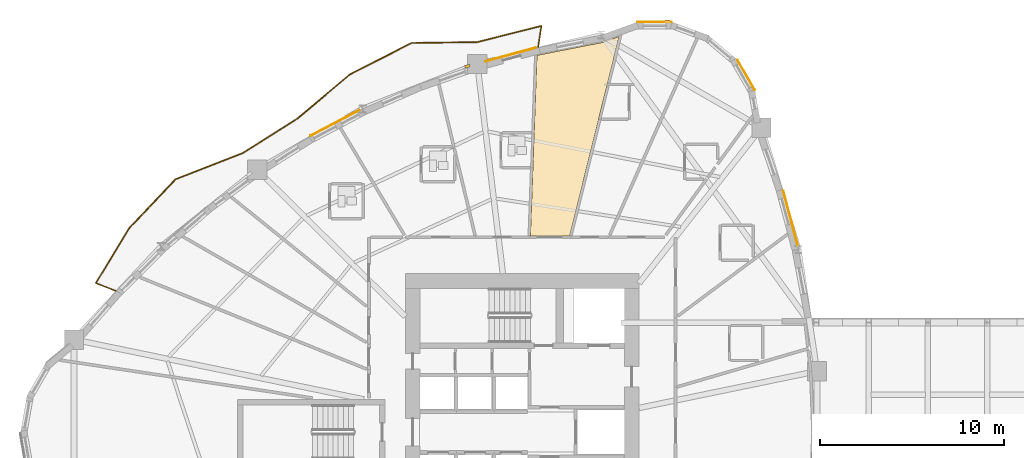
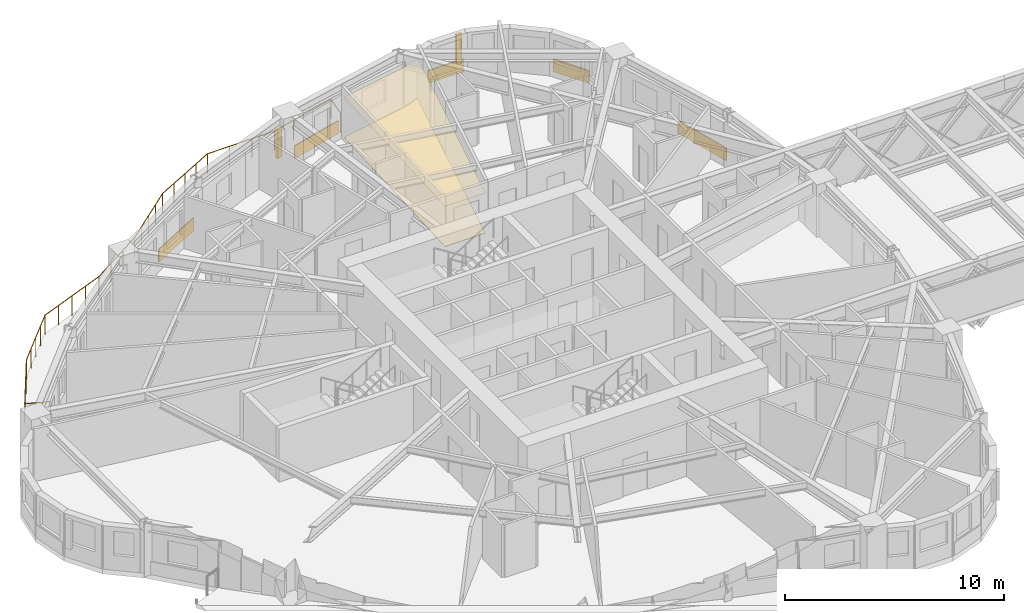
# One storey, part 15 of 16: 7 coverings, 2 shading devices, 1 railing.
"""IFC4 building model written with IfcOpenShell, lengths in metres."""

from ifc_helpers import new_model, si_unit, direction, frame, origin, origin_2d, place, context, subcontext, project, spatial, polyline, rectangle, circle, outline, extrude, source, transform, mapped, material, layer, layer_set, type_object, element, save


model = new_model("IFC4")

# Units and contexts
model_context = context("Model", 3, precision=1e-05, world=origin(), true_north=direction((0.0, 1.0)))
body_context = subcontext(model_context, "Body", "Model", "MODEL_VIEW")
ifc_project = project(units=[si_unit("LENGTHUNIT", "METRE"), si_unit("AREAUNIT", "SQUARE_METRE"), si_unit("VOLUMEUNIT", "CUBIC_METRE"), si_unit("PLANEANGLEUNIT", "RADIAN"), si_unit("MASSUNIT", "GRAM", prefix="KILO")], contexts=[model_context])

# Site, building, storey
site_placement = place(None, origin())
site = spatial("IfcSite", under=ifc_project, at=site_placement, CompositionType="ELEMENT")
building_placement = place(site_placement, origin())
building = spatial("IfcBuilding", under=site, at=building_placement, Name="Qafzar Sky-Pleat Residences", CompositionType="ELEMENT")
storey_placement = place(building_placement, frame((0.0, 0.0, 33.39990234375)))
storey = spatial("IfcBuildingStorey", under=building, at=storey_placement, Name="L09", CompositionType="ELEMENT", Elevation=33.39990234375)

# Coverings
ifc_material_1 = material(Name="Perforated acoustic gypsum board ceiling")
ifc_layer_1 = layer(ifc_material_1, 0.02001953125)
ifc_layer_set_1 = layer_set([ifc_layer_1], Name="Perforated acoustic gypsum board ceiling")
covering_type_1 = type_object("IfcCoveringType", Name="COV-CEIL-ACOUSTIC", PredefinedType="CEILING", material=ifc_layer_set_1)
covering_1_placement = place(storey_placement, frame((0.0, 0.0, 2.239990234375)))
element("IfcCovering", 1, at=covering_1_placement, inside=storey, type_object=covering_type_1, Name="L09 Communal Kitchen Acoustic Ceiling", PredefinedType="CEILING", context=body_context, shape_type="SweptSolid", body=[
    extrude(outline(polyline([(34.752685546875, 47.1689453125), (35.615966796875, 47.483154296875), (32.927001953125, 36.639892578125), (30.796142578125, 36.639892578125), (31.152099609375, 46.44970703125), (31.306884765625, 46.49169921875), (34.752685546875, 47.1689453125)])), origin(), (0.0, 0.0, 1.0), 0.02001953125),
])
ifc_material_2 = material(Name="Honed porcelain and Riyadh stone tile flooring", Category="masonry")
ifc_layer_2 = layer(ifc_material_2, 0.02001953125)
ifc_layer_set_2 = layer_set([ifc_layer_2], Name="Honed porcelain and Riyadh stone tile flooring")
covering_type_2 = type_object("IfcCoveringType", Name="COV-FLR-PORCELAIN", PredefinedType="FLOORING", material=ifc_layer_set_2)
covering_2_placement = place(storey_placement, origin())
element("IfcCovering", 2, at=covering_2_placement, inside=storey, type_object=covering_type_2, Name="L09 Communal Kitchen Honed Stone Flooring", PredefinedType="FLOORING", context=body_context, shape_type="SweptSolid", body=[
    extrude(outline(polyline([(34.752685546875, 47.1689453125), (35.615966796875, 47.483154296875), (32.927001953125, 36.639892578125), (30.796142578125, 36.639892578125), (31.152099609375, 46.44970703125), (31.306884765625, 46.49169921875), (34.752685546875, 47.1689453125)])), origin(), (0.0, 0.0, 1.0), 0.02001953125),
])

# Shading devices
ifc_material_3 = material(Name="Honed Riyadh limestone solar fin", Category="masonry")
ifc_layer_3 = layer(ifc_material_3, 0.139892578125)
ifc_layer_set_3 = layer_set([ifc_layer_3], Name="Honed Riyadh limestone solar fin")
shading_device_type = type_object("IfcShadingDeviceType", Name="SHD-FIN-STONE", PredefinedType="SHUTTER", material=ifc_layer_set_3)
shared_shape_1 = source(origin(), body_context, "Body", "SweptSolid", [
    extrude(rectangle(XDim=0.139892578125, YDim=0.280029296875, at=origin_2d()), origin(), (0.0, 0.0, 1.0), 1.60009765625),
])
for number, where, z_axis, x_axis, name in (
    (3, (38.25, 48.309326171875, 0.60009765625), (0.0, 0.0, 1.0), (0.0, 1.0, 0.0), "L09 Limestone Solar Fin 37"),
    (4, (27.375732421875, 45.871337890625, 0.60009765625), (0.0, 0.0, 1.0), (-0.329566810973, 0.944132256151, 0.0), "L09 Limestone Solar Fin 41"),
):
    element("IfcShadingDevice", number, at=place(storey_placement, frame(where, z_axis=z_axis, x_axis=x_axis)), inside=storey, type_object=shading_device_type, Name=name, PredefinedType="SHUTTER", context=body_context, shape_type="MappedRepresentation", body=[
        mapped(shared_shape_1, transform((0.0, 0.0, 0.0), x_axis=(1.0, 0.0, 0.0), y_axis=(0.0, 1.0, 0.0), z_axis=(0.0, 0.0, 1.0), scale=1.0)),
    ])

# Coverings
ifc_material_4 = material(Name="Honed Riyadh Tuwaiq limestone cladding", Category="masonry")
ifc_layer_4 = layer(ifc_material_4, 0.044921875)
ifc_layer_set_4 = layer_set([ifc_layer_4], Name="Honed Riyadh Tuwaiq limestone cladding")
covering_type_3 = type_object("IfcCoveringType", Name="COV-CLAD-STONE", PredefinedType="CLADDING", material=ifc_layer_set_4)
shared_shape_2 = source(origin(), body_context, "Body", "SweptSolid", [
    extrude(rectangle(XDim=1.88134765625, YDim=0.044921875, at=origin_2d()), origin(), (0.0, 0.0, 1.0), 0.719970703125),
])
for number, where, z_axis, x_axis, name in (
    (5, (42.5107421875, 45.3994140625, 0.02001953125), (0.0, 0.0, 1.0), (-0.499972303345, 0.866041393865, 0.0), "L09 Riyadh Limestone Spandrel Cladding 34"),
    (6, (37.544921875, 48.266357421875, 0.02001953125), (0.0, 0.0, 1.0), (-1.0, 0.0, 0.0), "L09 Riyadh Limestone Spandrel Cladding 37"),
):
    element("IfcCovering", number, at=place(storey_placement, frame(where, z_axis=z_axis, x_axis=x_axis)), inside=storey, type_object=covering_type_3, Name=name, PredefinedType="CLADDING", context=body_context, shape_type="MappedRepresentation", body=[
        mapped(shared_shape_2, transform((0.0, 0.0, 0.0), x_axis=(1.0, 0.0, 0.0), y_axis=(0.0, 1.0, 0.0), z_axis=(0.0, 0.0, 1.0), scale=1.0)),
    ])

# Railing
ifc_material_5 = material(Name="Laminated glass and bronze steel balustrade", Category="steel")
railing_type = type_object("IfcRailingType", Name="RAIL-BAL-1100", PredefinedType="BALUSTRADE", material=ifc_material_5)
shared_shape_3 = source(origin(), body_context, "Body", "SweptSolid", [
    extrude(circle(Radius=0.02392578125, at=origin_2d()), frame((0.0, 0.0, 1.076171875), z_axis=(0.152119477922, 0.988362112, 0.0), x_axis=(-0.988362112, 0.152119477922, 0.0)), (0.0, 0.0, 1.0), 1.177978515625),
    extrude(circle(Radius=0.02392578125, at=origin_2d()), frame((0.17919921875, 1.164306640625, 1.076171875), z_axis=(-0.969794268424, -0.243924326242, 0.0), x_axis=(0.243924326242, -0.969794268424, 0.0)), (0.0, 0.0, 1.0), 3.59814453125),
    extrude(circle(Radius=0.02392578125, at=origin_2d()), frame((-3.310302734375, 0.28662109375, 1.076171875), z_axis=(-0.999902236861, -0.013982729389, 0.0), x_axis=(0.013982729389, -0.999902236861, 0.0)), (0.0, 0.0, 1.0), 3.561767578125),
    extrude(circle(Radius=0.02392578125, at=origin_2d()), frame((-6.871826171875, 0.23681640625, 1.076171875), z_axis=(-0.890602457087, -0.454782655156, 0.0), x_axis=(0.454782655156, -0.890602457087, 0.0)), (0.0, 0.0, 1.0), 3.74658203125),
    extrude(circle(Radius=0.02392578125, at=origin_2d()), frame((-10.20849609375, -1.467041015625, 1.076171875), z_axis=(-0.766473267475, -0.642276210245, 0.0), x_axis=(0.642276210245, -0.766473267475, 0.0)), (0.0, 0.0, 1.0), 3.71533203125),
    extrude(circle(Radius=0.02392578125, at=origin_2d()), frame((-13.05615234375, -3.853271484375, 1.076171875), z_axis=(-0.844776229724, -0.535119726504, 0.0), x_axis=(0.535119726504, -0.844776229724, 0.0)), (0.0, 0.0, 1.0), 3.520263671875),
    extrude(circle(Radius=0.02392578125, at=origin_2d()), frame((-16.030029296875, -5.737060546875, 1.076171875), z_axis=(-0.931702298769, -0.363222833076, 0.0), x_axis=(0.363222833076, -0.931702298769, 0.0)), (0.0, 0.0, 1.0), 3.9287109375),
    extrude(circle(Radius=0.02392578125, at=origin_2d()), frame((-19.6904296875, -7.1640625, 1.076171875), z_axis=(-0.687520611705, -0.726164863155, 0.0), x_axis=(0.726164863155, -0.687520611705, 0.0)), (0.0, 0.0, 1.0), 3.657958984375),
    extrude(circle(Radius=0.02392578125, at=origin_2d()), frame((-22.205322265625, -9.8203125, 1.076171875), z_axis=(-0.51910211964, -0.854712226065, 0.0), x_axis=(0.854712226065, -0.51910211964, 0.0)), (0.0, 0.0, 1.0), 3.493896484375),
    extrude(circle(Radius=0.02392578125, at=origin_2d()), frame((-24.01904296875, -12.806640625, 1.076171875), z_axis=(0.932063004359, -0.362296226733, 0.0), x_axis=(0.362296226733, 0.932063004359, 0.0)), (0.0, 0.0, 1.0), 1.177978515625),
    extrude(circle(Radius=0.02099609375, at=origin_2d()), origin(), (0.0, 0.0, 1.0), 1.052001953125),
    extrude(circle(Radius=0.02099609375, at=origin_2d()), frame((0.17919921875, 1.164306640625, 0.0)), (0.0, 0.0, 1.0), 1.052001953125),
    extrude(circle(Radius=0.02099609375, at=origin_2d()), frame((-0.98388671875, 0.871826171875, 0.0)), (0.0, 0.0, 1.0), 1.052001953125),
    extrude(circle(Radius=0.02099609375, at=origin_2d()), frame((-2.147216796875, 0.5791015625, 0.0)), (0.0, 0.0, 1.0), 1.052001953125),
    extrude(circle(Radius=0.02099609375, at=origin_2d()), frame((-3.310302734375, 0.28662109375, 0.0)), (0.0, 0.0, 1.0), 1.052001953125),
    extrude(circle(Radius=0.02099609375, at=origin_2d()), frame((-4.49755859375, 0.27001953125, 0.0)), (0.0, 0.0, 1.0), 1.052001953125),
    extrude(circle(Radius=0.02099609375, at=origin_2d()), frame((-5.6845703125, 0.25341796875, 0.0)), (0.0, 0.0, 1.0), 1.052001953125),
    extrude(circle(Radius=0.02099609375, at=origin_2d()), frame((-6.871826171875, 0.23681640625, 0.0)), (0.0, 0.0, 1.0), 1.052001953125),
    extrude(circle(Radius=0.02099609375, at=origin_2d()), frame((-7.7060546875, -0.189208984375, 0.0)), (0.0, 0.0, 1.0), 1.052001953125),
    extrude(circle(Radius=0.02099609375, at=origin_2d()), frame((-8.5400390625, -0.615234375, 0.0)), (0.0, 0.0, 1.0), 1.052001953125),
    extrude(circle(Radius=0.02099609375, at=origin_2d()), frame((-9.374267578125, -1.041015625, 0.0)), (0.0, 0.0, 1.0), 1.052001953125),
    extrude(circle(Radius=0.02099609375, at=origin_2d()), frame((-10.20849609375, -1.467041015625, 0.0)), (0.0, 0.0, 1.0), 1.052001953125),
    extrude(circle(Radius=0.02099609375, at=origin_2d()), frame((-10.92041015625, -2.0634765625, 0.0)), (0.0, 0.0, 1.0), 1.052001953125),
    extrude(circle(Radius=0.02099609375, at=origin_2d()), frame((-11.63232421875, -2.66015625, 0.0)), (0.0, 0.0, 1.0), 1.052001953125),
    extrude(circle(Radius=0.02099609375, at=origin_2d()), frame((-12.34423828125, -3.2568359375, 0.0)), (0.0, 0.0, 1.0), 1.052001953125),
    extrude(circle(Radius=0.02099609375, at=origin_2d()), frame((-13.05615234375, -3.853271484375, 0.0)), (0.0, 0.0, 1.0), 1.052001953125),
    extrude(circle(Radius=0.02099609375, at=origin_2d()), frame((-14.04736328125, -4.481201171875, 0.0)), (0.0, 0.0, 1.0), 1.052001953125),
    extrude(circle(Radius=0.02099609375, at=origin_2d()), frame((-15.038818359375, -5.109130859375, 0.0)), (0.0, 0.0, 1.0), 1.052001953125),
    extrude(circle(Radius=0.02099609375, at=origin_2d()), frame((-16.030029296875, -5.737060546875, 0.0)), (0.0, 0.0, 1.0), 1.052001953125),
    extrude(circle(Radius=0.02099609375, at=origin_2d()), frame((-16.945068359375, -6.09375, 0.0)), (0.0, 0.0, 1.0), 1.052001953125),
    extrude(circle(Radius=0.02099609375, at=origin_2d()), frame((-17.8603515625, -6.45068359375, 0.0)), (0.0, 0.0, 1.0), 1.052001953125),
    extrude(circle(Radius=0.02099609375, at=origin_2d()), frame((-18.775390625, -6.807373046875, 0.0)), (0.0, 0.0, 1.0), 1.052001953125),
    extrude(circle(Radius=0.02099609375, at=origin_2d()), frame((-19.6904296875, -7.1640625, 0.0)), (0.0, 0.0, 1.0), 1.052001953125),
    extrude(circle(Radius=0.02099609375, at=origin_2d()), frame((-20.319091796875, -7.828125, 0.0)), (0.0, 0.0, 1.0), 1.052001953125),
    extrude(circle(Radius=0.02099609375, at=origin_2d()), frame((-20.94775390625, -8.4921875, 0.0)), (0.0, 0.0, 1.0), 1.052001953125),
    extrude(circle(Radius=0.02099609375, at=origin_2d()), frame((-21.57666015625, -9.15625, 0.0)), (0.0, 0.0, 1.0), 1.052001953125),
    extrude(circle(Radius=0.02099609375, at=origin_2d()), frame((-22.205322265625, -9.8203125, 0.0)), (0.0, 0.0, 1.0), 1.052001953125),
    extrude(circle(Radius=0.02099609375, at=origin_2d()), frame((-22.809814453125, -10.815673828125, 0.0)), (0.0, 0.0, 1.0), 1.052001953125),
    extrude(circle(Radius=0.02099609375, at=origin_2d()), frame((-23.41455078125, -11.811279296875, 0.0)), (0.0, 0.0, 1.0), 1.052001953125),
    extrude(circle(Radius=0.02099609375, at=origin_2d()), frame((-24.01904296875, -12.806640625, 0.0)), (0.0, 0.0, 1.0), 1.052001953125),
    extrude(circle(Radius=0.02099609375, at=origin_2d()), frame((-22.921142578125, -13.2333984375, 0.0)), (0.0, 0.0, 1.0), 1.052001953125),
])
railing_placement = place(storey_placement, frame((31.218017578125, 46.893310546875, 0.0)))
element("IfcRailing", 7, at=railing_placement, inside=storey, type_object=railing_type, Name="L09 Pleated Balcony 1 Balustrade", PredefinedType="BALUSTRADE", context=body_context, shape_type="MappedRepresentation", body=[
    mapped(shared_shape_3, transform((0.0, 0.0, 0.0), x_axis=(1.0, 0.0, 0.0), y_axis=(0.0, 1.0, 0.0), z_axis=(0.0, 0.0, 1.0), scale=1.0)),
])

# Coverings
shared_shape_4 = source(origin(), body_context, "Body", "SweptSolid", [
    extrude(rectangle(XDim=3.095458984375, YDim=0.044921875, at=origin_2d()), origin(), (0.0, 0.0, 1.0), 0.719970703125),
])
covering_3_placement = place(storey_placement, frame((44.92919921875, 37.606201171875, 0.02001953125), z_axis=(0.0, 0.0, 1.0), x_axis=(-0.257052746506, 0.966397374538, 0.0)))
element("IfcCovering", 8, at=covering_3_placement, inside=storey, type_object=covering_type_3, Name="L09 Riyadh Limestone Spandrel Cladding 31", PredefinedType="CLADDING", context=body_context, shape_type="MappedRepresentation", body=[
    mapped(shared_shape_4, transform((0.0, 0.0, 0.0), x_axis=(1.0, 0.0, 0.0), y_axis=(0.0, 1.0, 0.0), z_axis=(0.0, 0.0, 1.0), scale=1.0)),
])
shared_shape_5 = source(origin(), body_context, "Body", "SweptSolid", [
    extrude(rectangle(XDim=2.843505859375, YDim=0.044921875, at=origin_2d()), origin(), (0.0, 0.0, 1.0), 0.719970703125),
])
covering_4_placement = place(storey_placement, frame((29.721923828125, 46.5009765625, 0.02001953125), z_axis=(0.0, 0.0, 1.0), x_axis=(-0.965461572029, -0.260545491106, 0.0)))
element("IfcCovering", 9, at=covering_4_placement, inside=storey, type_object=covering_type_3, Name="L09 Riyadh Limestone Spandrel Cladding 40", PredefinedType="CLADDING", context=body_context, shape_type="MappedRepresentation", body=[
    mapped(shared_shape_5, transform((0.0, 0.0, 0.0), x_axis=(1.0, 0.0, 0.0), y_axis=(0.0, 1.0, 0.0), z_axis=(0.0, 0.0, 1.0), scale=1.0)),
])
shared_shape_6 = source(origin(), body_context, "Body", "SweptSolid", [
    extrude(rectangle(XDim=2.994140625, YDim=0.044921875, at=origin_2d()), origin(), (0.0, 0.0, 1.0), 0.719970703125),
])
covering_5_placement = place(storey_placement, frame((20.18408203125, 42.78759765625, 0.02001953125), z_axis=(0.0, 0.0, 1.0), x_axis=(-0.884388199509, -0.466752088983, 0.0)))
element("IfcCovering", 10, at=covering_5_placement, inside=storey, type_object=covering_type_3, Name="L09 Riyadh Limestone Spandrel Cladding 43", PredefinedType="CLADDING", context=body_context, shape_type="MappedRepresentation", body=[
    mapped(shared_shape_6, transform((0.0, 0.0, 0.0), x_axis=(1.0, 0.0, 0.0), y_axis=(0.0, 1.0, 0.0), z_axis=(0.0, 0.0, 1.0), scale=1.0)),
])

save(model, "model.ifc")
